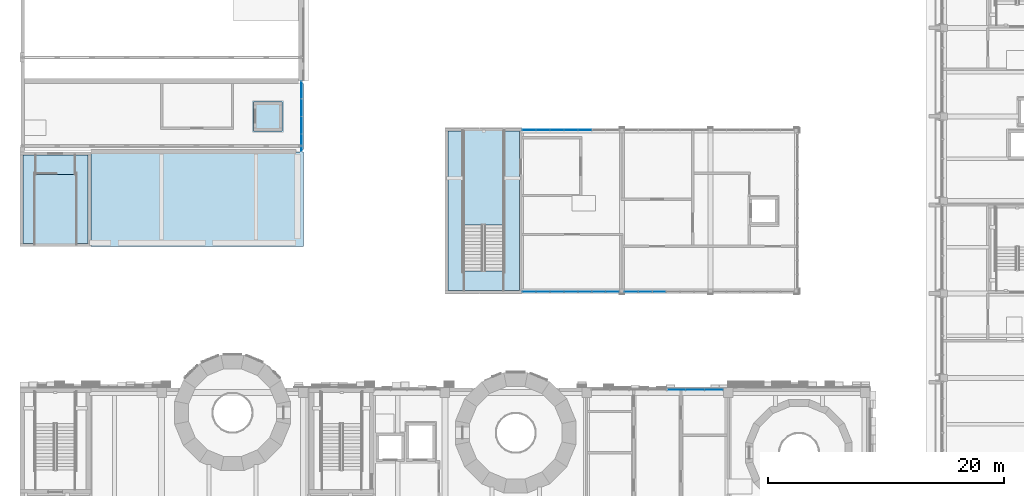
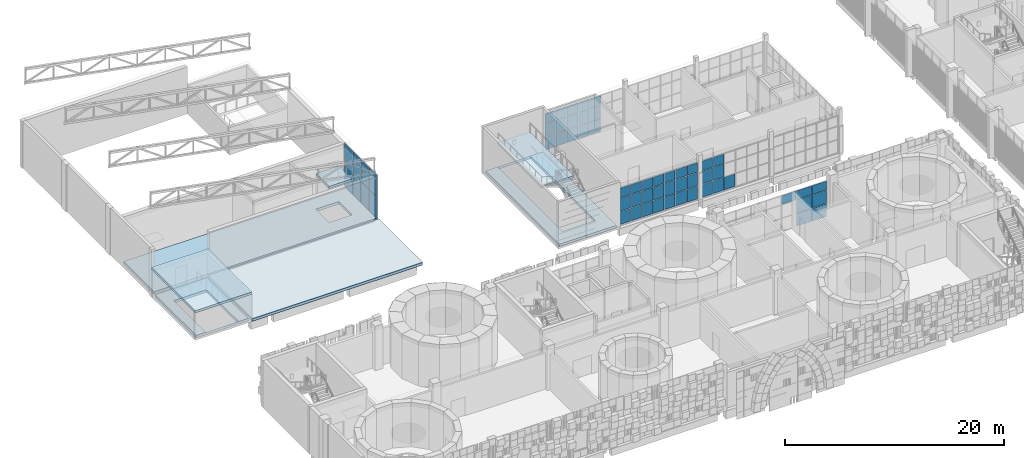
# One storey, part 57 of 125: 58 plates, 7 slabs, 6 elements without a shape of their own.
"""IFC4 building model written with IfcOpenShell, lengths in metres."""

from ifc_helpers import new_model, si_unit, direction, frame, origin, origin_2d, place, context, subcontext, project, spatial, polyline, rectangle, outline, extrude, material, layer, layer_set, type_object, element, aggregate, save


model = new_model("IFC4")

# Units and contexts
model_context = context("Model", 3, precision=1e-05, world=origin(), true_north=direction((0.0, 1.0)))
body_context = subcontext(model_context, "Body", "Model", "MODEL_VIEW")
ifc_project = project(units=[si_unit("LENGTHUNIT", "METRE"), si_unit("AREAUNIT", "SQUARE_METRE"), si_unit("VOLUMEUNIT", "CUBIC_METRE"), si_unit("PLANEANGLEUNIT", "RADIAN"), si_unit("MASSUNIT", "GRAM", prefix="KILO")], contexts=[model_context])

# Site, building, storey
site_placement = place(None, origin())
site = spatial("IfcSite", under=ifc_project, at=site_placement, CompositionType="ELEMENT")
building_placement = place(site_placement, origin())
building = spatial("IfcBuilding", under=site, at=building_placement, Name="Sun Court Science Centre", CompositionType="ELEMENT")
storey_placement = place(building_placement, frame((0.0, 0.0, 6.0)))
storey = spatial("IfcBuildingStorey", under=building, at=storey_placement, Name="L01", CompositionType="ELEMENT", Elevation=6.0)

# Curtain wall, plates
ifc_material_1 = material(Name="Aluminium EN AW-6063 T6", Category="aluminium")
curtain_wall_type_1 = type_object("IfcCurtainWallType", Name="Court gallery curtain wall 1500", PredefinedType="NOTDEFINED", material=ifc_material_1)
curtain_wall_1_placement = place(storey_placement, origin())
curtain_wall_1 = element("IfcCurtainWall", 1, at=curtain_wall_1_placement, inside=storey, type_object=curtain_wall_type_1, Name="Curtain wall V2 N L01 02", PredefinedType="NOTDEFINED")
ifc_material_2 = material(Name="Insulated glass", Category="glass")
ifc_layer_1 = layer(ifc_material_2, 0.031982421875)
ifc_layer_set_1 = layer_set([ifc_layer_1], Name="Insulated glass")
plate_type_1 = type_object("IfcPlateType", Name="Foyer insulated glazing panel 8-16-8", PredefinedType="CURTAIN_PANEL", material=ifc_layer_set_1)
plate_1_placement = place(storey_placement, frame((57.199951171875, 27.85009765625, 0.0498046875), z_axis=(0.0, 0.0, 1.0), x_axis=(1.0, 0.0, 0.0)))
plate_1 = element("IfcPlate", 2, at=plate_1_placement, type_object=plate_type_1, Name="CW5-04 panel 6.1", PredefinedType="CURTAIN_PANEL", context=body_context, shape_type="SweptSolid", body=[
    extrude(rectangle(XDim=1.550048828125, YDim=0.031982421875, at=origin_2d()), origin(), (0.0, 0.0, 1.0), 1.425048828125),
])
plate_2_placement = place(storey_placement, frame((58.78759765625, 27.85009765625, 0.0498046875), z_axis=(0.0, 0.0, 1.0), x_axis=(1.0, 0.0, 0.0)))
plate_2 = element("IfcPlate", 3, at=plate_2_placement, type_object=plate_type_1, Name="CW5-04 panel 7.1", PredefinedType="CURTAIN_PANEL", context=body_context, shape_type="SweptSolid", body=[
    extrude(rectangle(XDim=1.52490234375, YDim=0.031982421875, at=origin_2d()), origin(), (0.0, 0.0, 1.0), 1.425048828125),
])
plate_3_placement = place(storey_placement, frame((57.199951171875, 27.85009765625, 1.52490234375), z_axis=(0.0, 0.0, 1.0), x_axis=(1.0, 0.0, 0.0)))
plate_3 = element("IfcPlate", 4, at=plate_3_placement, type_object=plate_type_1, Name="CW5-04 panel 6.2", PredefinedType="CURTAIN_PANEL", context=body_context, shape_type="SweptSolid", body=[
    extrude(rectangle(XDim=1.550048828125, YDim=0.031982421875, at=origin_2d()), origin(), (0.0, 0.0, 1.0), 1.449951171875),
])
plate_4_placement = place(storey_placement, frame((58.78759765625, 27.85009765625, 1.52490234375), z_axis=(0.0, 0.0, 1.0), x_axis=(1.0, 0.0, 0.0)))
plate_4 = element("IfcPlate", 5, at=plate_4_placement, type_object=plate_type_1, Name="CW5-04 panel 7.2", PredefinedType="CURTAIN_PANEL", context=body_context, shape_type="SweptSolid", body=[
    extrude(rectangle(XDim=1.52490234375, YDim=0.031982421875, at=origin_2d()), origin(), (0.0, 0.0, 1.0), 1.449951171875),
])
plate_5_placement = place(storey_placement, frame((55.60009765625, 27.85009765625, 3.02490234375), z_axis=(0.0, 0.0, 1.0), x_axis=(1.0, 0.0, 0.0)))
plate_5 = element("IfcPlate", 6, at=plate_5_placement, type_object=plate_type_1, Name="CW5-04 panel 5.3", PredefinedType="CURTAIN_PANEL", context=body_context, shape_type="SweptSolid", body=[
    extrude(rectangle(XDim=1.550048828125, YDim=0.031982421875, at=origin_2d()), origin(), (0.0, 0.0, 1.0), 0.97509765625),
])
plate_6_placement = place(storey_placement, frame((57.199951171875, 27.85009765625, 3.02490234375), z_axis=(0.0, 0.0, 1.0), x_axis=(1.0, 0.0, 0.0)))
plate_6 = element("IfcPlate", 7, at=plate_6_placement, type_object=plate_type_1, Name="CW5-04 panel 6.3", PredefinedType="CURTAIN_PANEL", context=body_context, shape_type="SweptSolid", body=[
    extrude(rectangle(XDim=1.550048828125, YDim=0.031982421875, at=origin_2d()), origin(), (0.0, 0.0, 1.0), 0.97509765625),
])
plate_7_placement = place(storey_placement, frame((58.78759765625, 27.85009765625, 3.02490234375), z_axis=(0.0, 0.0, 1.0), x_axis=(1.0, 0.0, 0.0)))
plate_7 = element("IfcPlate", 8, at=plate_7_placement, type_object=plate_type_1, Name="CW5-04 panel 7.3", PredefinedType="CURTAIN_PANEL", context=body_context, shape_type="SweptSolid", body=[
    extrude(rectangle(XDim=1.52490234375, YDim=0.031982421875, at=origin_2d()), origin(), (0.0, 0.0, 1.0), 0.97509765625),
])
aggregate(curtain_wall_1, [plate_1, plate_2, plate_3, plate_4, plate_5, plate_6, plate_7])

ifc_material_3 = material(Name="Aluminium EN AW-6063 T6", Category="aluminium")
curtain_wall_type_2 = type_object("IfcCurtainWallType", Name="Foyer curtain wall 1500", PredefinedType="NOTDEFINED", material=ifc_material_3)
curtain_wall_2_placement = place(storey_placement, origin())
curtain_wall_2 = element("IfcCurtainWall", 9, at=curtain_wall_2_placement, inside=storey, type_object=curtain_wall_type_2, Name="Curtain wall V3 E L01 01", PredefinedType="NOTDEFINED")
plate_8_placement = place(storey_placement, frame((23.85009765625, 48.762451171875, 0.0498046875), z_axis=(0.0, 0.0, 1.0), x_axis=(0.0, -1.0, 0.0)))
plate_8 = element("IfcPlate", 10, at=plate_8_placement, type_object=plate_type_1, Name="CW1-02 panel 4.1", PredefinedType="CURTAIN_PANEL", context=body_context, shape_type="SweptSolid", body=[
    extrude(rectangle(XDim=1.425048828125, YDim=0.031982421875, at=origin_2d()), origin(), (0.0, 0.0, 1.0), 2.324951171875),
])
plate_9_placement = place(storey_placement, frame((23.85009765625, 50.25, 0.0498046875), z_axis=(0.0, 0.0, 1.0), x_axis=(0.0, -1.0, 0.0)))
plate_9 = element("IfcPlate", 11, at=plate_9_placement, type_object=plate_type_1, Name="CW1-02 panel 3.1", PredefinedType="CURTAIN_PANEL", context=body_context, shape_type="SweptSolid", body=[
    extrude(rectangle(XDim=1.449951171875, YDim=0.031982421875, at=origin_2d()), origin(), (0.0, 0.0, 1.0), 2.324951171875),
])
plate_10_placement = place(storey_placement, frame((23.85009765625, 51.75, 0.0498046875), z_axis=(0.0, 0.0, 1.0), x_axis=(0.0, -1.0, 0.0)))
plate_10 = element("IfcPlate", 12, at=plate_10_placement, type_object=plate_type_1, Name="CW1-02 panel 2.1", PredefinedType="CURTAIN_PANEL", context=body_context, shape_type="SweptSolid", body=[
    extrude(rectangle(XDim=1.449951171875, YDim=0.031982421875, at=origin_2d()), origin(), (0.0, 0.0, 1.0), 2.324951171875),
])
plate_11_placement = place(storey_placement, frame((23.85009765625, 53.237548828125, 0.0498046875), z_axis=(0.0, 0.0, 1.0), x_axis=(0.0, -1.0, 0.0)))
plate_11 = element("IfcPlate", 13, at=plate_11_placement, type_object=plate_type_1, Name="CW1-02 panel 1.1", PredefinedType="CURTAIN_PANEL", context=body_context, shape_type="SweptSolid", body=[
    extrude(rectangle(XDim=1.425048828125, YDim=0.031982421875, at=origin_2d()), origin(), (0.0, 0.0, 1.0), 2.324951171875),
])
plate_12_placement = place(storey_placement, frame((23.85009765625, 48.762451171875, 2.425048828125), z_axis=(0.0, 0.0, 1.0), x_axis=(0.0, -1.0, 0.0)))
plate_12 = element("IfcPlate", 14, at=plate_12_placement, type_object=plate_type_1, Name="CW1-02 panel 4.2", PredefinedType="CURTAIN_PANEL", context=body_context, shape_type="SweptSolid", body=[
    extrude(rectangle(XDim=1.425048828125, YDim=0.031982421875, at=origin_2d()), origin(), (0.0, 0.0, 1.0), 2.47509765625),
])
plate_13_placement = place(storey_placement, frame((23.85009765625, 50.25, 2.425048828125), z_axis=(0.0, 0.0, 1.0), x_axis=(0.0, -1.0, 0.0)))
plate_13 = element("IfcPlate", 15, at=plate_13_placement, type_object=plate_type_1, Name="CW1-02 panel 3.2", PredefinedType="CURTAIN_PANEL", context=body_context, shape_type="SweptSolid", body=[
    extrude(rectangle(XDim=1.449951171875, YDim=0.031982421875, at=origin_2d()), origin(), (0.0, 0.0, 1.0), 2.47509765625),
])
plate_14_placement = place(storey_placement, frame((23.85009765625, 51.75, 2.425048828125), z_axis=(0.0, 0.0, 1.0), x_axis=(0.0, -1.0, 0.0)))
plate_14 = element("IfcPlate", 16, at=plate_14_placement, type_object=plate_type_1, Name="CW1-02 panel 2.2", PredefinedType="CURTAIN_PANEL", context=body_context, shape_type="SweptSolid", body=[
    extrude(rectangle(XDim=1.449951171875, YDim=0.031982421875, at=origin_2d()), origin(), (0.0, 0.0, 1.0), 2.47509765625),
])
plate_15_placement = place(storey_placement, frame((23.85009765625, 53.237548828125, 2.425048828125), z_axis=(0.0, 0.0, 1.0), x_axis=(0.0, -1.0, 0.0)))
plate_15 = element("IfcPlate", 17, at=plate_15_placement, type_object=plate_type_1, Name="CW1-02 panel 1.2", PredefinedType="CURTAIN_PANEL", context=body_context, shape_type="SweptSolid", body=[
    extrude(rectangle(XDim=1.425048828125, YDim=0.031982421875, at=origin_2d()), origin(), (0.0, 0.0, 1.0), 2.47509765625),
])
aggregate(curtain_wall_2, [plate_8, plate_9, plate_10, plate_11, plate_12, plate_13, plate_14, plate_15])

ifc_material_4 = material(Name="Aluminium EN AW-6063 T6", Category="aluminium")
curtain_wall_type_3 = type_object("IfcCurtainWallType", Name="Pavilion curtain wall 1200", PredefinedType="NOTDEFINED", material=ifc_material_4)
curtain_wall_3_placement = place(storey_placement, origin())
curtain_wall_3 = element("IfcCurtainWall", 18, at=curtain_wall_3_placement, inside=storey, type_object=curtain_wall_type_3, Name="Curtain wall V5 S L01 02", PredefinedType="NOTDEFINED")
ifc_material_5 = material(Name="Toughened safety glass", Category="glass")
ifc_layer_2 = layer(ifc_material_5, 0.0107421875)
ifc_layer_set_2 = layer_set([ifc_layer_2], Name="Toughened safety glass")
plate_type_2 = type_object("IfcPlateType", Name="Pavilion toughened glazing panel 10.8", PredefinedType="CURTAIN_PANEL", material=ifc_layer_set_2)
plate_16_placement = place(storey_placement, frame((51.80419921875, 36.14990234375, 0.0498046875), z_axis=(0.0, 0.0, 1.0), x_axis=(-1.0, 0.0, 0.0)))
plate_16 = element("IfcPlate", 19, at=plate_16_placement, type_object=plate_type_2, Name="CW3-06 panel 6.1", PredefinedType="CURTAIN_PANEL", context=body_context, shape_type="SweptSolid", body=[
    extrude(rectangle(XDim=1.1083984375, YDim=0.0107421875, at=origin_2d()), origin(), (0.0, 0.0, 1.0), 1.425048828125),
])
plate_17_placement = place(storey_placement, frame((52.97509765625, 36.14990234375, 0.0498046875), z_axis=(0.0, 0.0, 1.0), x_axis=(-1.0, 0.0, 0.0)))
plate_17 = element("IfcPlate", 20, at=plate_17_placement, type_object=plate_type_2, Name="CW3-06 panel 5.1", PredefinedType="CURTAIN_PANEL", context=body_context, shape_type="SweptSolid", body=[
    extrude(rectangle(XDim=1.13330078125, YDim=0.0107421875, at=origin_2d()), origin(), (0.0, 0.0, 1.0), 1.425048828125),
])
plate_18_placement = place(storey_placement, frame((54.158447265625, 36.14990234375, 0.0498046875), z_axis=(0.0, 0.0, 1.0), x_axis=(-1.0, 0.0, 0.0)))
plate_18 = element("IfcPlate", 21, at=plate_18_placement, type_object=plate_type_2, Name="CW3-06 panel 4.1", PredefinedType="CURTAIN_PANEL", context=body_context, shape_type="SweptSolid", body=[
    extrude(rectangle(XDim=1.13330078125, YDim=0.0107421875, at=origin_2d()), origin(), (0.0, 0.0, 1.0), 1.425048828125),
])
plate_19_placement = place(storey_placement, frame((51.80419921875, 36.14990234375, 1.52490234375), z_axis=(0.0, 0.0, 1.0), x_axis=(-1.0, 0.0, 0.0)))
plate_19 = element("IfcPlate", 22, at=plate_19_placement, type_object=plate_type_2, Name="CW3-06 panel 6.2", PredefinedType="CURTAIN_PANEL", context=body_context, shape_type="SweptSolid", body=[
    extrude(rectangle(XDim=1.1083984375, YDim=0.0107421875, at=origin_2d()), origin(), (0.0, 0.0, 1.0), 1.449951171875),
])
plate_20_placement = place(storey_placement, frame((52.97509765625, 36.14990234375, 1.52490234375), z_axis=(0.0, 0.0, 1.0), x_axis=(-1.0, 0.0, 0.0)))
plate_20 = element("IfcPlate", 23, at=plate_20_placement, type_object=plate_type_2, Name="CW3-06 panel 5.2", PredefinedType="CURTAIN_PANEL", context=body_context, shape_type="SweptSolid", body=[
    extrude(rectangle(XDim=1.13330078125, YDim=0.0107421875, at=origin_2d()), origin(), (0.0, 0.0, 1.0), 1.449951171875),
])
plate_21_placement = place(storey_placement, frame((51.80419921875, 36.14990234375, 3.02490234375), z_axis=(0.0, 0.0, 1.0), x_axis=(-1.0, 0.0, 0.0)))
plate_21 = element("IfcPlate", 24, at=plate_21_placement, type_object=plate_type_2, Name="CW3-06 panel 6.3", PredefinedType="CURTAIN_PANEL", context=body_context, shape_type="SweptSolid", body=[
    extrude(rectangle(XDim=1.1083984375, YDim=0.0107421875, at=origin_2d()), origin(), (0.0, 0.0, 1.0), 1.074951171875),
])
plate_22_placement = place(storey_placement, frame((52.97509765625, 36.14990234375, 3.02490234375), z_axis=(0.0, 0.0, 1.0), x_axis=(-1.0, 0.0, 0.0)))
plate_22 = element("IfcPlate", 25, at=plate_22_placement, type_object=plate_type_2, Name="CW3-06 panel 5.3", PredefinedType="CURTAIN_PANEL", context=body_context, shape_type="SweptSolid", body=[
    extrude(rectangle(XDim=1.13330078125, YDim=0.0107421875, at=origin_2d()), origin(), (0.0, 0.0, 1.0), 1.074951171875),
])
aggregate(curtain_wall_3, [plate_16, plate_17, plate_18, plate_19, plate_20, plate_21, plate_22])

curtain_wall_4_placement = place(storey_placement, origin())
curtain_wall_4 = element("IfcCurtainWall", 26, at=curtain_wall_4_placement, inside=storey, type_object=curtain_wall_type_3, Name="Curtain wall V5 S L01 03", PredefinedType="NOTDEFINED")
plate_23_placement = place(storey_placement, frame((43.15185546875, 36.14990234375, 0.0498046875), z_axis=(0.0, 0.0, 1.0), x_axis=(-1.0, 0.0, 0.0)))
plate_23 = element("IfcPlate", 27, at=plate_23_placement, type_object=plate_type_2, Name="CW3-07 panel 7.1", PredefinedType="CURTAIN_PANEL", context=body_context, shape_type="SweptSolid", body=[
    extrude(rectangle(XDim=1.103515625, YDim=0.0107421875, at=origin_2d()), origin(), (0.0, 0.0, 1.0), 1.425048828125),
])
plate_24_placement = place(storey_placement, frame((44.31787109375, 36.14990234375, 0.0498046875), z_axis=(0.0, 0.0, 1.0), x_axis=(-1.0, 0.0, 0.0)))
plate_24 = element("IfcPlate", 28, at=plate_24_placement, type_object=plate_type_2, Name="CW3-07 panel 6.1", PredefinedType="CURTAIN_PANEL", context=body_context, shape_type="SweptSolid", body=[
    extrude(rectangle(XDim=1.128662109375, YDim=0.0107421875, at=origin_2d()), origin(), (0.0, 0.0, 1.0), 1.425048828125),
])
plate_25_placement = place(storey_placement, frame((45.496337890625, 36.14990234375, 0.0498046875), z_axis=(0.0, 0.0, 1.0), x_axis=(-1.0, 0.0, 0.0)))
plate_25 = element("IfcPlate", 29, at=plate_25_placement, type_object=plate_type_2, Name="CW3-07 panel 5.1", PredefinedType="CURTAIN_PANEL", context=body_context, shape_type="SweptSolid", body=[
    extrude(rectangle(XDim=1.128662109375, YDim=0.0107421875, at=origin_2d()), origin(), (0.0, 0.0, 1.0), 1.425048828125),
])
plate_26_placement = place(storey_placement, frame((46.675048828125, 36.14990234375, 0.0498046875), z_axis=(0.0, 0.0, 1.0), x_axis=(-1.0, 0.0, 0.0)))
plate_26 = element("IfcPlate", 30, at=plate_26_placement, type_object=plate_type_2, Name="CW3-07 panel 4.1", PredefinedType="CURTAIN_PANEL", context=body_context, shape_type="SweptSolid", body=[
    extrude(rectangle(XDim=1.128662109375, YDim=0.0107421875, at=origin_2d()), origin(), (0.0, 0.0, 1.0), 1.425048828125),
])
plate_27_placement = place(storey_placement, frame((47.853515625, 36.14990234375, 0.0498046875), z_axis=(0.0, 0.0, 1.0), x_axis=(-1.0, 0.0, 0.0)))
plate_27 = element("IfcPlate", 31, at=plate_27_placement, type_object=plate_type_2, Name="CW3-07 panel 3.1", PredefinedType="CURTAIN_PANEL", context=body_context, shape_type="SweptSolid", body=[
    extrude(rectangle(XDim=1.128662109375, YDim=0.0107421875, at=origin_2d()), origin(), (0.0, 0.0, 1.0), 1.425048828125),
])
plate_28_placement = place(storey_placement, frame((49.0322265625, 36.14990234375, 0.0498046875), z_axis=(0.0, 0.0, 1.0), x_axis=(-1.0, 0.0, 0.0)))
plate_28 = element("IfcPlate", 32, at=plate_28_placement, type_object=plate_type_2, Name="CW3-07 panel 2.1", PredefinedType="CURTAIN_PANEL", context=body_context, shape_type="SweptSolid", body=[
    extrude(rectangle(XDim=1.128662109375, YDim=0.0107421875, at=origin_2d()), origin(), (0.0, 0.0, 1.0), 1.425048828125),
])
plate_29_placement = place(storey_placement, frame((50.1982421875, 36.14990234375, 0.0498046875), z_axis=(0.0, 0.0, 1.0), x_axis=(-1.0, 0.0, 0.0)))
plate_29 = element("IfcPlate", 33, at=plate_29_placement, type_object=plate_type_2, Name="CW3-07 panel 1.1", PredefinedType="CURTAIN_PANEL", context=body_context, shape_type="SweptSolid", body=[
    extrude(rectangle(XDim=1.103515625, YDim=0.0107421875, at=origin_2d()), origin(), (0.0, 0.0, 1.0), 1.425048828125),
])
plate_30_placement = place(storey_placement, frame((43.15185546875, 36.14990234375, 1.52490234375), z_axis=(0.0, 0.0, 1.0), x_axis=(-1.0, 0.0, 0.0)))
plate_30 = element("IfcPlate", 34, at=plate_30_placement, type_object=plate_type_2, Name="CW3-07 panel 7.2", PredefinedType="CURTAIN_PANEL", context=body_context, shape_type="SweptSolid", body=[
    extrude(rectangle(XDim=1.103515625, YDim=0.0107421875, at=origin_2d()), origin(), (0.0, 0.0, 1.0), 1.449951171875),
])
plate_31_placement = place(storey_placement, frame((44.31787109375, 36.14990234375, 1.52490234375), z_axis=(0.0, 0.0, 1.0), x_axis=(-1.0, 0.0, 0.0)))
plate_31 = element("IfcPlate", 35, at=plate_31_placement, type_object=plate_type_2, Name="CW3-07 panel 6.2", PredefinedType="CURTAIN_PANEL", context=body_context, shape_type="SweptSolid", body=[
    extrude(rectangle(XDim=1.128662109375, YDim=0.0107421875, at=origin_2d()), origin(), (0.0, 0.0, 1.0), 1.449951171875),
])
plate_32_placement = place(storey_placement, frame((45.496337890625, 36.14990234375, 1.52490234375), z_axis=(0.0, 0.0, 1.0), x_axis=(-1.0, 0.0, 0.0)))
plate_32 = element("IfcPlate", 36, at=plate_32_placement, type_object=plate_type_2, Name="CW3-07 panel 5.2", PredefinedType="CURTAIN_PANEL", context=body_context, shape_type="SweptSolid", body=[
    extrude(rectangle(XDim=1.128662109375, YDim=0.0107421875, at=origin_2d()), origin(), (0.0, 0.0, 1.0), 1.449951171875),
])
plate_33_placement = place(storey_placement, frame((46.675048828125, 36.14990234375, 1.52490234375), z_axis=(0.0, 0.0, 1.0), x_axis=(-1.0, 0.0, 0.0)))
plate_33 = element("IfcPlate", 37, at=plate_33_placement, type_object=plate_type_2, Name="CW3-07 panel 4.2", PredefinedType="CURTAIN_PANEL", context=body_context, shape_type="SweptSolid", body=[
    extrude(rectangle(XDim=1.128662109375, YDim=0.0107421875, at=origin_2d()), origin(), (0.0, 0.0, 1.0), 1.449951171875),
])
plate_34_placement = place(storey_placement, frame((47.853515625, 36.14990234375, 1.52490234375), z_axis=(0.0, 0.0, 1.0), x_axis=(-1.0, 0.0, 0.0)))
plate_34 = element("IfcPlate", 38, at=plate_34_placement, type_object=plate_type_2, Name="CW3-07 panel 3.2", PredefinedType="CURTAIN_PANEL", context=body_context, shape_type="SweptSolid", body=[
    extrude(rectangle(XDim=1.128662109375, YDim=0.0107421875, at=origin_2d()), origin(), (0.0, 0.0, 1.0), 1.449951171875),
])
plate_35_placement = place(storey_placement, frame((49.0322265625, 36.14990234375, 1.52490234375), z_axis=(0.0, 0.0, 1.0), x_axis=(-1.0, 0.0, 0.0)))
plate_35 = element("IfcPlate", 39, at=plate_35_placement, type_object=plate_type_2, Name="CW3-07 panel 2.2", PredefinedType="CURTAIN_PANEL", context=body_context, shape_type="SweptSolid", body=[
    extrude(rectangle(XDim=1.128662109375, YDim=0.0107421875, at=origin_2d()), origin(), (0.0, 0.0, 1.0), 1.449951171875),
])
plate_36_placement = place(storey_placement, frame((50.1982421875, 36.14990234375, 1.52490234375), z_axis=(0.0, 0.0, 1.0), x_axis=(-1.0, 0.0, 0.0)))
plate_36 = element("IfcPlate", 40, at=plate_36_placement, type_object=plate_type_2, Name="CW3-07 panel 1.2", PredefinedType="CURTAIN_PANEL", context=body_context, shape_type="SweptSolid", body=[
    extrude(rectangle(XDim=1.103515625, YDim=0.0107421875, at=origin_2d()), origin(), (0.0, 0.0, 1.0), 1.449951171875),
])
plate_37_placement = place(storey_placement, frame((43.15185546875, 36.14990234375, 3.02490234375), z_axis=(0.0, 0.0, 1.0), x_axis=(-1.0, 0.0, 0.0)))
plate_37 = element("IfcPlate", 41, at=plate_37_placement, type_object=plate_type_2, Name="CW3-07 panel 7.3", PredefinedType="CURTAIN_PANEL", context=body_context, shape_type="SweptSolid", body=[
    extrude(rectangle(XDim=1.103515625, YDim=0.0107421875, at=origin_2d()), origin(), (0.0, 0.0, 1.0), 1.074951171875),
])
plate_38_placement = place(storey_placement, frame((44.31787109375, 36.14990234375, 3.02490234375), z_axis=(0.0, 0.0, 1.0), x_axis=(-1.0, 0.0, 0.0)))
plate_38 = element("IfcPlate", 42, at=plate_38_placement, type_object=plate_type_2, Name="CW3-07 panel 6.3", PredefinedType="CURTAIN_PANEL", context=body_context, shape_type="SweptSolid", body=[
    extrude(rectangle(XDim=1.128662109375, YDim=0.0107421875, at=origin_2d()), origin(), (0.0, 0.0, 1.0), 1.074951171875),
])
plate_39_placement = place(storey_placement, frame((45.496337890625, 36.14990234375, 3.02490234375), z_axis=(0.0, 0.0, 1.0), x_axis=(-1.0, 0.0, 0.0)))
plate_39 = element("IfcPlate", 43, at=plate_39_placement, type_object=plate_type_2, Name="CW3-07 panel 5.3", PredefinedType="CURTAIN_PANEL", context=body_context, shape_type="SweptSolid", body=[
    extrude(rectangle(XDim=1.128662109375, YDim=0.0107421875, at=origin_2d()), origin(), (0.0, 0.0, 1.0), 1.074951171875),
])
plate_40_placement = place(storey_placement, frame((46.675048828125, 36.14990234375, 3.02490234375), z_axis=(0.0, 0.0, 1.0), x_axis=(-1.0, 0.0, 0.0)))
plate_40 = element("IfcPlate", 44, at=plate_40_placement, type_object=plate_type_2, Name="CW3-07 panel 4.3", PredefinedType="CURTAIN_PANEL", context=body_context, shape_type="SweptSolid", body=[
    extrude(rectangle(XDim=1.128662109375, YDim=0.0107421875, at=origin_2d()), origin(), (0.0, 0.0, 1.0), 1.074951171875),
])
plate_41_placement = place(storey_placement, frame((47.853515625, 36.14990234375, 3.02490234375), z_axis=(0.0, 0.0, 1.0), x_axis=(-1.0, 0.0, 0.0)))
plate_41 = element("IfcPlate", 45, at=plate_41_placement, type_object=plate_type_2, Name="CW3-07 panel 3.3", PredefinedType="CURTAIN_PANEL", context=body_context, shape_type="SweptSolid", body=[
    extrude(rectangle(XDim=1.128662109375, YDim=0.0107421875, at=origin_2d()), origin(), (0.0, 0.0, 1.0), 1.074951171875),
])
plate_42_placement = place(storey_placement, frame((49.0322265625, 36.14990234375, 3.02490234375), z_axis=(0.0, 0.0, 1.0), x_axis=(-1.0, 0.0, 0.0)))
plate_42 = element("IfcPlate", 46, at=plate_42_placement, type_object=plate_type_2, Name="CW3-07 panel 2.3", PredefinedType="CURTAIN_PANEL", context=body_context, shape_type="SweptSolid", body=[
    extrude(rectangle(XDim=1.128662109375, YDim=0.0107421875, at=origin_2d()), origin(), (0.0, 0.0, 1.0), 1.074951171875),
])
plate_43_placement = place(storey_placement, frame((50.1982421875, 36.14990234375, 3.02490234375), z_axis=(0.0, 0.0, 1.0), x_axis=(-1.0, 0.0, 0.0)))
plate_43 = element("IfcPlate", 47, at=plate_43_placement, type_object=plate_type_2, Name="CW3-07 panel 1.3", PredefinedType="CURTAIN_PANEL", context=body_context, shape_type="SweptSolid", body=[
    extrude(rectangle(XDim=1.103515625, YDim=0.0107421875, at=origin_2d()), origin(), (0.0, 0.0, 1.0), 1.074951171875),
])
aggregate(curtain_wall_4, [plate_23, plate_24, plate_25, plate_26, plate_27, plate_28, plate_29, plate_30, plate_31, plate_32, plate_33, plate_34, plate_35, plate_36, plate_37, plate_38, plate_39, plate_40, plate_41, plate_42, plate_43])

curtain_wall_5_placement = place(storey_placement, origin())
curtain_wall_5 = element("IfcCurtainWall", 48, at=curtain_wall_5_placement, inside=storey, type_object=curtain_wall_type_3, Name="Curtain wall V5 N L01 01", PredefinedType="NOTDEFINED")
plate_44_placement = place(storey_placement, frame((43.15185546875, 49.85009765625, 0.0498046875), z_axis=(0.0, 0.0, 1.0), x_axis=(1.0, 0.0, 0.0)))
plate_44 = element("IfcPlate", 49, at=plate_44_placement, type_object=plate_type_2, Name="CW3-14 panel 1.1", PredefinedType="CURTAIN_PANEL", context=body_context, shape_type="SweptSolid", body=[
    extrude(rectangle(XDim=1.103515625, YDim=0.0107421875, at=origin_2d()), origin(), (0.0, 0.0, 1.0), 1.425048828125),
])
plate_45_placement = place(storey_placement, frame((44.31787109375, 49.85009765625, 0.0498046875), z_axis=(0.0, 0.0, 1.0), x_axis=(1.0, 0.0, 0.0)))
plate_45 = element("IfcPlate", 50, at=plate_45_placement, type_object=plate_type_2, Name="CW3-14 panel 2.1", PredefinedType="CURTAIN_PANEL", context=body_context, shape_type="SweptSolid", body=[
    extrude(rectangle(XDim=1.128662109375, YDim=0.0107421875, at=origin_2d()), origin(), (0.0, 0.0, 1.0), 1.425048828125),
])
plate_46_placement = place(storey_placement, frame((45.496337890625, 49.85009765625, 0.0498046875), z_axis=(0.0, 0.0, 1.0), x_axis=(1.0, 0.0, 0.0)))
plate_46 = element("IfcPlate", 51, at=plate_46_placement, type_object=plate_type_2, Name="CW3-14 panel 3.1", PredefinedType="CURTAIN_PANEL", context=body_context, shape_type="SweptSolid", body=[
    extrude(rectangle(XDim=1.128662109375, YDim=0.0107421875, at=origin_2d()), origin(), (0.0, 0.0, 1.0), 1.425048828125),
])
plate_47_placement = place(storey_placement, frame((46.675048828125, 49.85009765625, 0.0498046875), z_axis=(0.0, 0.0, 1.0), x_axis=(1.0, 0.0, 0.0)))
plate_47 = element("IfcPlate", 52, at=plate_47_placement, type_object=plate_type_2, Name="CW3-14 panel 4.1", PredefinedType="CURTAIN_PANEL", context=body_context, shape_type="SweptSolid", body=[
    extrude(rectangle(XDim=1.128662109375, YDim=0.0107421875, at=origin_2d()), origin(), (0.0, 0.0, 1.0), 1.425048828125),
])
plate_48_placement = place(storey_placement, frame((47.853515625, 49.85009765625, 0.0498046875), z_axis=(0.0, 0.0, 1.0), x_axis=(1.0, 0.0, 0.0)))
plate_48 = element("IfcPlate", 53, at=plate_48_placement, type_object=plate_type_2, Name="CW3-14 panel 5.1", PredefinedType="CURTAIN_PANEL", context=body_context, shape_type="SweptSolid", body=[
    extrude(rectangle(XDim=1.128662109375, YDim=0.0107421875, at=origin_2d()), origin(), (0.0, 0.0, 1.0), 1.425048828125),
])
plate_49_placement = place(storey_placement, frame((43.15185546875, 49.85009765625, 1.52490234375), z_axis=(0.0, 0.0, 1.0), x_axis=(1.0, 0.0, 0.0)))
plate_49 = element("IfcPlate", 54, at=plate_49_placement, type_object=plate_type_2, Name="CW3-14 panel 1.2", PredefinedType="CURTAIN_PANEL", context=body_context, shape_type="SweptSolid", body=[
    extrude(rectangle(XDim=1.103515625, YDim=0.0107421875, at=origin_2d()), origin(), (0.0, 0.0, 1.0), 1.449951171875),
])
plate_50_placement = place(storey_placement, frame((44.31787109375, 49.85009765625, 1.52490234375), z_axis=(0.0, 0.0, 1.0), x_axis=(1.0, 0.0, 0.0)))
plate_50 = element("IfcPlate", 55, at=plate_50_placement, type_object=plate_type_2, Name="CW3-14 panel 2.2", PredefinedType="CURTAIN_PANEL", context=body_context, shape_type="SweptSolid", body=[
    extrude(rectangle(XDim=1.128662109375, YDim=0.0107421875, at=origin_2d()), origin(), (0.0, 0.0, 1.0), 1.449951171875),
])
plate_51_placement = place(storey_placement, frame((45.496337890625, 49.85009765625, 1.52490234375), z_axis=(0.0, 0.0, 1.0), x_axis=(1.0, 0.0, 0.0)))
plate_51 = element("IfcPlate", 56, at=plate_51_placement, type_object=plate_type_2, Name="CW3-14 panel 3.2", PredefinedType="CURTAIN_PANEL", context=body_context, shape_type="SweptSolid", body=[
    extrude(rectangle(XDim=1.128662109375, YDim=0.0107421875, at=origin_2d()), origin(), (0.0, 0.0, 1.0), 1.449951171875),
])
plate_52_placement = place(storey_placement, frame((46.675048828125, 49.85009765625, 1.52490234375), z_axis=(0.0, 0.0, 1.0), x_axis=(1.0, 0.0, 0.0)))
plate_52 = element("IfcPlate", 57, at=plate_52_placement, type_object=plate_type_2, Name="CW3-14 panel 4.2", PredefinedType="CURTAIN_PANEL", context=body_context, shape_type="SweptSolid", body=[
    extrude(rectangle(XDim=1.128662109375, YDim=0.0107421875, at=origin_2d()), origin(), (0.0, 0.0, 1.0), 1.449951171875),
])
plate_53_placement = place(storey_placement, frame((47.853515625, 49.85009765625, 1.52490234375), z_axis=(0.0, 0.0, 1.0), x_axis=(1.0, 0.0, 0.0)))
plate_53 = element("IfcPlate", 58, at=plate_53_placement, type_object=plate_type_2, Name="CW3-14 panel 5.2", PredefinedType="CURTAIN_PANEL", context=body_context, shape_type="SweptSolid", body=[
    extrude(rectangle(XDim=1.128662109375, YDim=0.0107421875, at=origin_2d()), origin(), (0.0, 0.0, 1.0), 1.449951171875),
])
plate_54_placement = place(storey_placement, frame((43.15185546875, 49.85009765625, 3.02490234375), z_axis=(0.0, 0.0, 1.0), x_axis=(1.0, 0.0, 0.0)))
plate_54 = element("IfcPlate", 59, at=plate_54_placement, type_object=plate_type_2, Name="CW3-14 panel 1.3", PredefinedType="CURTAIN_PANEL", context=body_context, shape_type="SweptSolid", body=[
    extrude(rectangle(XDim=1.103515625, YDim=0.0107421875, at=origin_2d()), origin(), (0.0, 0.0, 1.0), 1.074951171875),
])
plate_55_placement = place(storey_placement, frame((44.31787109375, 49.85009765625, 3.02490234375), z_axis=(0.0, 0.0, 1.0), x_axis=(1.0, 0.0, 0.0)))
plate_55 = element("IfcPlate", 60, at=plate_55_placement, type_object=plate_type_2, Name="CW3-14 panel 2.3", PredefinedType="CURTAIN_PANEL", context=body_context, shape_type="SweptSolid", body=[
    extrude(rectangle(XDim=1.128662109375, YDim=0.0107421875, at=origin_2d()), origin(), (0.0, 0.0, 1.0), 1.074951171875),
])
plate_56_placement = place(storey_placement, frame((45.496337890625, 49.85009765625, 3.02490234375), z_axis=(0.0, 0.0, 1.0), x_axis=(1.0, 0.0, 0.0)))
plate_56 = element("IfcPlate", 61, at=plate_56_placement, type_object=plate_type_2, Name="CW3-14 panel 3.3", PredefinedType="CURTAIN_PANEL", context=body_context, shape_type="SweptSolid", body=[
    extrude(rectangle(XDim=1.128662109375, YDim=0.0107421875, at=origin_2d()), origin(), (0.0, 0.0, 1.0), 1.074951171875),
])
plate_57_placement = place(storey_placement, frame((46.675048828125, 49.85009765625, 3.02490234375), z_axis=(0.0, 0.0, 1.0), x_axis=(1.0, 0.0, 0.0)))
plate_57 = element("IfcPlate", 62, at=plate_57_placement, type_object=plate_type_2, Name="CW3-14 panel 4.3", PredefinedType="CURTAIN_PANEL", context=body_context, shape_type="SweptSolid", body=[
    extrude(rectangle(XDim=1.128662109375, YDim=0.0107421875, at=origin_2d()), origin(), (0.0, 0.0, 1.0), 1.074951171875),
])
plate_58_placement = place(storey_placement, frame((47.853515625, 49.85009765625, 3.02490234375), z_axis=(0.0, 0.0, 1.0), x_axis=(1.0, 0.0, 0.0)))
plate_58 = element("IfcPlate", 63, at=plate_58_placement, type_object=plate_type_2, Name="CW3-14 panel 5.3", PredefinedType="CURTAIN_PANEL", context=body_context, shape_type="SweptSolid", body=[
    extrude(rectangle(XDim=1.128662109375, YDim=0.0107421875, at=origin_2d()), origin(), (0.0, 0.0, 1.0), 1.074951171875),
])
aggregate(curtain_wall_5, [plate_44, plate_45, plate_46, plate_47, plate_48, plate_49, plate_50, plate_51, plate_52, plate_53, plate_54, plate_55, plate_56, plate_57, plate_58])

# Slabs
ifc_material_6 = material(Name="Concrete C25/30", Category="concrete")
ifc_layer_3 = layer(ifc_material_6, 0.300048828125)
ifc_layer_set_3 = layer_set([ifc_layer_3], Name="Concrete C25/30")
slab_type_1 = type_object("IfcSlabType", Name="RC floor slab 300", PredefinedType="FLOOR", material=ifc_layer_set_3)
slab_1_placement = place(storey_placement, frame((0.0, 0.0, -0.300048828125)))
element("IfcSlab", 64, at=slab_1_placement, inside=storey, type_object=slab_type_1, Name="Back lobby floor slab L01", PredefinedType="FLOOR", context=body_context, shape_type="SweptSolid", body=[
    extrude(outline(polyline([(0.39990234375, 48.199951171875), (24.0, 48.199951171875), (24.0, 53.800048828125), (0.39990234375, 53.800048828125), (0.39990234375, 48.199951171875)]), holes=[polyline([(19.78759765625, 52.21240234375), (22.21240234375, 52.21240234375), (22.21240234375, 49.78759765625), (19.78759765625, 49.78759765625), (19.78759765625, 52.21240234375)])]), origin(), (0.0, 0.0, 1.0), 0.300048828125),
])
slab_2_placement = place(storey_placement, frame((0.0, 0.0, -0.300048828125)))
element("IfcSlab", 65, at=slab_2_placement, inside=storey, type_object=slab_type_1, Name="Stair ST1 landing slab L01", PredefinedType="FLOOR", context=body_context, shape_type="SweptSolid", body=[
    extrude(outline(polyline([(0.25, 47.75), (0.25, 40.25), (5.75, 40.25), (5.75, 47.75), (0.25, 47.75)]), holes=[polyline([(1.277099609375, 40.2548828125), (1.277099609375, 46.096923828125), (4.722900390625, 46.096923828125), (4.722900390625, 40.2548828125), (1.277099609375, 40.2548828125)])]), origin(), (0.0, 0.0, 1.0), 0.300048828125),
])
slab_3_placement = place(storey_placement, frame((0.0, 0.0, -0.300048828125)))
element("IfcSlab", 66, at=slab_3_placement, inside=storey, type_object=slab_type_1, Name="Stair SP1 landing slab L01", PredefinedType="FLOOR", context=body_context, shape_type="SweptSolid", body=[
    extrude(outline(polyline([(36.25, 49.75), (36.25, 36.25), (42.300048828125, 36.25), (42.300048828125, 49.75), (36.25, 49.75)]), holes=[polyline([(40.998046875, 49.7451171875), (40.998046875, 37.903076171875), (37.552001953125, 37.903076171875), (37.552001953125, 49.7451171875), (40.998046875, 49.7451171875)])]), origin(), (0.0, 0.0, 1.0), 0.300048828125),
])
ifc_material_7 = material(Name="Concrete C25/30", Category="concrete")
ifc_layer_4 = layer(ifc_material_7, 0.25)
ifc_layer_set_4 = layer_set([ifc_layer_4], Name="Concrete C25/30")
slab_type_2 = type_object("IfcSlabType", Name="RC head-house roof 250", PredefinedType="ROOF", material=ifc_layer_set_4)
slab_4_placement = place(storey_placement, frame((0.0, 0.0, 3.75)))
element("IfcSlab", 67, at=slab_4_placement, inside=storey, type_object=slab_type_2, Name="Roof of core LT1", PredefinedType="ROOF", context=body_context, shape_type="SweptSolid", body=[
    extrude(outline(polyline([(19.78759765625, 49.78759765625), (22.21240234375, 49.78759765625), (22.21240234375, 52.21240234375), (19.78759765625, 52.21240234375), (19.78759765625, 49.78759765625)])), origin(), (0.0, 0.0, 1.0), 0.25),
])
slab_5_placement = place(storey_placement, frame((0.0, 0.0, 2.75)))
element("IfcSlab", 68, at=slab_5_placement, inside=storey, type_object=slab_type_2, Name="Roof of core ST1", PredefinedType="ROOF", context=body_context, shape_type="SweptSolid", body=[
    extrude(outline(polyline([(0.0, 40.0), (6.0, 40.0), (6.0, 48.0), (0.0, 48.0), (0.0, 40.0)])), origin(), (0.0, 0.0, 1.0), 0.25),
])
ifc_material_8 = material(Name="Concrete C25/30", Category="concrete")
ifc_layer_5 = layer(ifc_material_8, 0.300048828125)
ifc_layer_set_5 = layer_set([ifc_layer_5], Name="Concrete C25/30")
slab_type_3 = type_object("IfcSlabType", Name="RC terrace slab 300", PredefinedType="ROOF", material=ifc_layer_set_5)
slab_6_placement = place(storey_placement, frame((0.0, 0.0, -0.300048828125)))
element("IfcSlab", 69, at=slab_6_placement, inside=storey, type_object=slab_type_3, Name="Foyer roof slab", PredefinedType="ROOF", context=body_context, shape_type="SweptSolid", body=[
    extrude(outline(polyline([(24.0, 48.0), (6.0, 48.0), (6.0, 40.0), (24.0, 40.0), (24.0, 48.0)])), origin(), (0.0, 0.0, 1.0), 0.300048828125),
])

# Stair, slab
ifc_material_9 = material(Name="Concrete C25/30", Category="concrete")
stair_type = type_object("IfcStairType", Name="Stair 1500 enclosed half-turn", PredefinedType="HALF_TURN_STAIR", material=ifc_material_9)
stair_placement = place(storey_placement, origin())
stair = element("IfcStair", 70, at=stair_placement, inside=storey, type_object=stair_type, Name="L01 Stair SP1", PredefinedType="HALF_TURN_STAIR")
ifc_material_10 = material(Name="Concrete C25/30", Category="concrete")
ifc_layer_6 = layer(ifc_material_10, 0.199951171875)
ifc_layer_set_6 = layer_set([ifc_layer_6], Name="Concrete C25/30")
slab_type_4 = type_object("IfcSlabType", Name="Stair landing 200", PredefinedType="LANDING", material=ifc_layer_set_6)
slab_7_placement = place(storey_placement, frame((0.0, 0.0, 2.425048828125)))
slab_7 = element("IfcSlab", 71, at=slab_7_placement, type_object=slab_type_4, Name="SP1 landing 1", PredefinedType="LANDING", context=body_context, shape_type="SweptSolid", body=[
    extrude(outline(polyline([(40.998046875, 41.81396484375), (40.998046875, 49.85009765625), (37.552001953125, 49.85009765625), (37.552001953125, 41.81396484375), (40.998046875, 41.81396484375)])), origin(), (0.0, 0.0, 1.0), 0.199951171875),
])
aggregate(stair, [slab_7])

save(model, "model.ifc")
